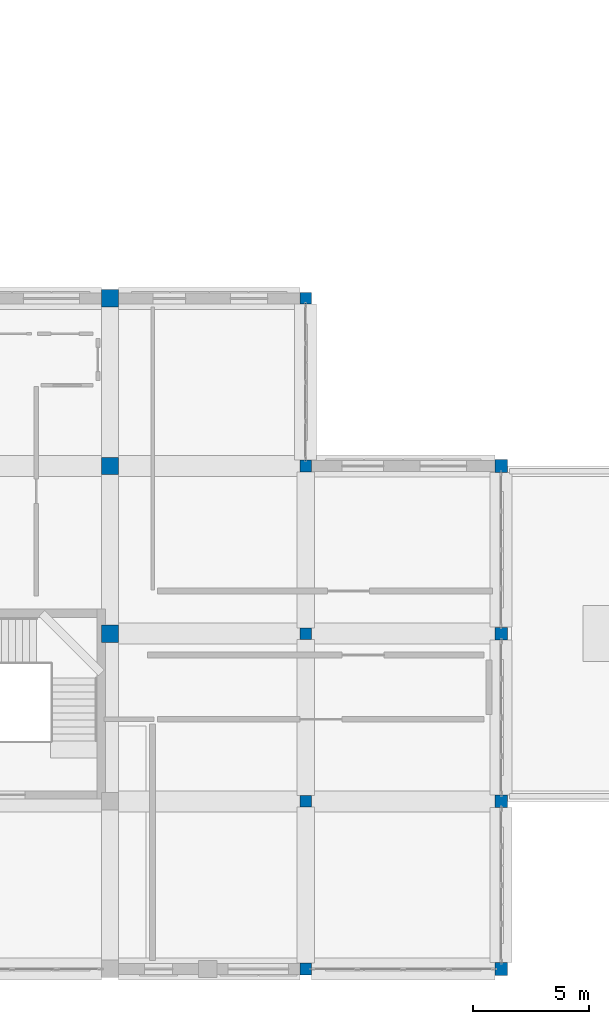
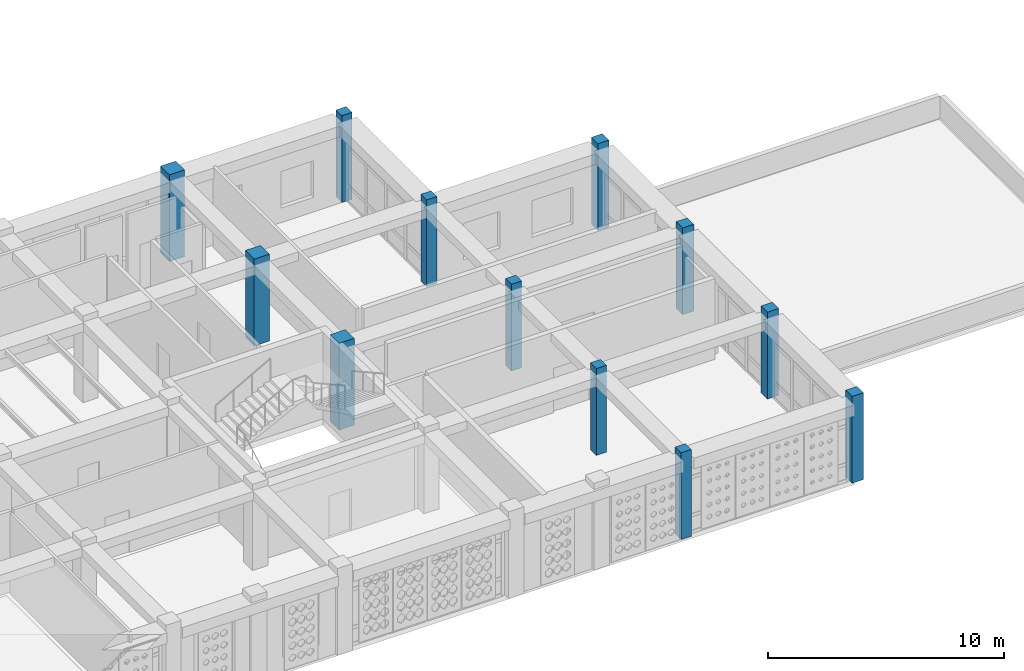
# One storey, part 2 of 111: 12 columns.
"""IFC4 building model written with IfcOpenShell, lengths in metres."""

import ifcopenshell
import ifcopenshell.guid

model = None  # the IFC model being written
_history = None  # IfcOwnerHistory: only IFC2X3 demands one
_inside = {}  # id of a spatial element -> (the spatial element, [elements in it])
_under = {}  # id of a project, library or spatial element -> (it, [spatial elements below it])
_declared = {}  # id of a project -> (the project, [libraries it declares])
_typed = {}  # id of a type object -> (the type object, [elements of that type])
_made_of = {}  # id of a material, layer set ... -> (it, [elements and type objects made of it])


def new_model(schema):
    """Start an empty IFC model of exactly this schema.

    Asked for "IFC4X3", IfcOpenShell would pick the latest addendum, in which some entities
    have other attributes; the version numbers below select the first issue.
    IFC2X3 requires an IfcOwnerHistory on every rooted entity: one is made here for all.
    """
    global model, _history
    if schema == "IFC4X3":
        model = ifcopenshell.file(schema_version=(4, 3, 0, 0))
    else:
        model = ifcopenshell.file(schema=schema)
    _inside.clear()
    _under.clear()
    _declared.clear()
    _typed.clear()
    _made_of.clear()
    _history = None
    if model.schema == "IFC2X3":
        org = make("IfcOrganization", Name="unknown")
        user = make(
            "IfcPersonAndOrganization",
            ThePerson=make("IfcPerson", FamilyName="unknown"),
            TheOrganization=org,
        )
        app = make(
            "IfcApplication",
            ApplicationDeveloper=org,
            Version="unknown",
            ApplicationFullName="unknown",
            ApplicationIdentifier="unknown",
        )
        _history = make(
            "IfcOwnerHistory",
            OwningUser=user,
            OwningApplication=app,
            ChangeAction="ADDED",
            CreationDate=0,
        )
    return model


def make(cls, **values):
    """One entity of the class cls with the attributes given. An attribute that is None is left unset."""
    return model.create_entity(
        cls, **{name: value for name, value in values.items() if value is not None}
    )


def rooted(cls, **values):
    """An entity with a GlobalId (a new one), such as an element, a storey or a relation."""
    return make(cls, GlobalId=ifcopenshell.guid.new(), OwnerHistory=_history, **values)


def si_unit(unit_type, name, prefix=None):
    """IfcSIUnit, for example si_unit("LENGTHUNIT", "METRE", prefix="MILLI")."""
    return make("IfcSIUnit", UnitType=unit_type, Prefix=prefix, Name=name)


def derived_unit(unit_type, elements):
    """IfcDerivedUnit: a product of units, each with its exponent."""
    return make(
        "IfcDerivedUnit",
        Elements=[
            make("IfcDerivedUnitElement", Unit=unit, Exponent=power)
            for unit, power in elements
        ],
        UnitType=unit_type,
    )


def assignment(units):
    """IfcUnitAssignment: the units of a project."""
    return None if units is None else make("IfcUnitAssignment", Units=units)


def point(xyz):
    """IfcCartesianPoint."""
    return None if xyz is None else make("IfcCartesianPoint", Coordinates=xyz)


def direction(xyz):
    """IfcDirection."""
    return None if xyz is None else make("IfcDirection", DirectionRatios=xyz)


def frame(location, z_axis=None, x_axis=None):
    """IfcAxis2Placement3D, a coordinate frame: its origin and axes. An axis left out is left unset."""
    return make(
        "IfcAxis2Placement3D",
        Location=point(location),
        Axis=direction(z_axis),
        RefDirection=direction(x_axis),
    )


def frame_2d(location, x_axis=None):
    """IfcAxis2Placement2D, a coordinate frame in the plane: its origin and x axis."""
    return make(
        "IfcAxis2Placement2D", Location=point(location), RefDirection=direction(x_axis)
    )


def origin():
    """The frame at (0, 0, 0) with its axes left unset."""
    return frame((0.0, 0.0, 0.0))


def origin_2d():
    """The frame at (0, 0) in the plane with its x axis left unset."""
    return frame_2d((0.0, 0.0))


def place(relative_to, where):
    """IfcLocalPlacement: puts the frame where relative to a parent placement (None: the world)."""
    return make(
        "IfcLocalPlacement", PlacementRelTo=relative_to, RelativePlacement=where
    )


def context(
    kind, dimensions, precision=None, world=None, true_north=None, identifier=None
):
    """IfcGeometricRepresentationContext, for example the 3D "Model" context."""
    return make(
        "IfcGeometricRepresentationContext",
        ContextIdentifier=identifier,
        ContextType=kind,
        CoordinateSpaceDimension=dimensions,
        Precision=precision,
        WorldCoordinateSystem=world,
        TrueNorth=true_north,
    )


def subcontext(parent, identifier, kind, view, scale=None):
    """IfcGeometricRepresentationSubContext, for example "Body" below "Model"."""
    return make(
        "IfcGeometricRepresentationSubContext",
        ContextIdentifier=identifier,
        ContextType=kind,
        ParentContext=parent,
        TargetScale=scale,
        TargetView=view,
    )


def project(units=None, contexts=None):
    """IfcProject with its units and contexts."""
    return rooted(
        "IfcProject",
        Name="project",
        RepresentationContexts=contexts,
        UnitsInContext=assignment(units),
    )


def spatial(cls, under=None, at=None, **own):
    """A site, building, storey or space (cls), placed at a placement, below another one or the project."""
    s = rooted(cls, ObjectPlacement=at, **own)
    if under is not None:
        _under.setdefault(under.id(), (under, []))[1].append(s)
    return s


def profile(cls, at=None, kind="AREA", **sizes):
    """A parametric profile (cls). Its sizes go by their IFC names, for example OverallWidth=200.0."""
    return make(cls, ProfileType=kind, Position=at, **sizes)


def rectangle(**sizes):
    """IfcRectangleProfileDef."""
    return profile("IfcRectangleProfileDef", **sizes)


def extrude(swept, where, along, depth):
    """IfcExtrudedAreaSolid: the profile swept, set in the frame where, extruded along a direction by depth."""
    return make(
        "IfcExtrudedAreaSolid",
        SweptArea=swept,
        Position=where,
        ExtrudedDirection=direction(along),
        Depth=depth,
    )


def shape(context_of_items, identifier, shape_type, items):
    """IfcShapeRepresentation: the items that make up one representation, for example the "Body"."""
    return make(
        "IfcShapeRepresentation",
        ContextOfItems=context_of_items,
        RepresentationIdentifier=identifier,
        RepresentationType=shape_type,
        Items=items,
    )


def material(Name=None, Category=None):
    """IfcMaterial."""
    return make("IfcMaterial", Name=Name, Category=Category)


def material_profile(
    of_material, cross_section, Name=None, Category=None, Priority=None
):
    """IfcMaterialProfile: a cross section and its material."""
    return make(
        "IfcMaterialProfile",
        Name=Name,
        Material=of_material,
        Profile=cross_section,
        Priority=Priority,
        Category=Category,
    )


def profile_set(profiles, Name=None, composite=None):
    """IfcMaterialProfileSet."""
    return make(
        "IfcMaterialProfileSet",
        Name=Name,
        MaterialProfiles=profiles,
        CompositeProfile=composite,
    )


def made_of(thing, what):
    """Note that an element or type object is made of a material, layer set ...; save() writes the relation."""
    if what is not None:
        _made_of.setdefault(what.id(), (what, []))[1].append(thing)
    return thing


def type_object(cls, material=None, **own):
    """A type object (cls), such as IfcWallType, which elements share."""
    return made_of(rooted(cls, **own), material)


def element(
    cls,
    number,
    at=None,
    inside=None,
    cuts=None,
    type_object=None,
    material=None,
    context=None,
    identifier="Body",
    shape_type=None,
    held_by="IfcProductDefinitionShape",
    body=None,
    shapes=None,
    **own,
):
    """One element of the class cls, such as IfcWall. Its Tag is "e" and its number.

    at: its placement. inside: the storey or other place that contains it. cuts: it is an
    opening in that element (IfcRelVoidsElement). A single representation is given by context,
    identifier, shape_type and body (its items); several are given by shapes. held_by: the class
    of the entity that holds the representations. save() writes the other relations.
    """
    e = rooted(cls, Tag="e%d" % number, ObjectPlacement=at, **own)
    if body is not None:
        shapes = [shape(context, identifier, shape_type, body)]
    if shapes is not None:
        e.Representation = make(held_by, Representations=shapes)
    if inside is not None:
        _inside.setdefault(inside.id(), (inside, []))[1].append(e)
    if cuts is not None:
        rooted(
            "IfcRelVoidsElement", RelatingBuildingElement=cuts, RelatedOpeningElement=e
        )
    if type_object is not None:
        _typed.setdefault(type_object.id(), (type_object, []))[1].append(e)
    return made_of(e, material)


def aggregate(whole, parts):
    """IfcRelAggregates: a whole, such as a stair, and the parts it consists of."""
    return rooted("IfcRelAggregates", RelatingObject=whole, RelatedObjects=parts)


def save(model, path):
    """Write the relations noted so far, then the file.

    IfcRelAggregates (storeys below a building ...), IfcRelContainedInSpatialStructure (elements
    in a storey), IfcRelDefinesByType, IfcRelAssociatesMaterial and IfcRelDeclares: one each for
    every whole, place, type object, material and project.
    """
    for whole, parts in _under.values():
        aggregate(whole, parts)
    for where, things in _inside.values():
        rooted(
            "IfcRelContainedInSpatialStructure",
            RelatedElements=things,
            RelatingStructure=where,
        )
    for kind, things in _typed.values():
        rooted("IfcRelDefinesByType", RelatedObjects=things, RelatingType=kind)
    for what, things in _made_of.values():
        rooted("IfcRelAssociatesMaterial", RelatedObjects=things, RelatingMaterial=what)
    for by, libraries in _declared.values():
        rooted("IfcRelDeclares", RelatingContext=by, RelatedDefinitions=libraries)
    model.write(path)


model = new_model("IFC4")

# Units and contexts
model_context = context("Model", 3, precision=1e-05, world=origin(), true_north=direction((0.0, 1.0)))
body_context = subcontext(model_context, "Body", "Model", "MODEL_VIEW")
ifc_project = project(units=[si_unit("LENGTHUNIT", "METRE"), si_unit("AREAUNIT", "SQUARE_METRE"), si_unit("VOLUMEUNIT", "CUBIC_METRE"), si_unit("PLANEANGLEUNIT", "RADIAN"), si_unit("MASSUNIT", "GRAM", prefix="KILO"), derived_unit("THERMALTRANSMITTANCEUNIT", [(si_unit("POWERUNIT", "WATT"), 1), (si_unit("LENGTHUNIT", "METRE"), -2), (si_unit("THERMODYNAMICTEMPERATUREUNIT", "KELVIN"), -1)])], contexts=[model_context])

# Site, building, storey
site_placement = place(None, origin())
site = spatial("IfcSite", under=ifc_project, at=site_placement, CompositionType="ELEMENT")
building_placement = place(site_placement, origin())
building = spatial("IfcBuilding", under=site, at=building_placement, Name="Veybourne Emporium", CompositionType="ELEMENT")
storey_placement = place(building_placement, frame((0.0, 0.0, 9.89990234375)))
storey = spatial("IfcBuildingStorey", under=building, at=storey_placement, Name="L02", CompositionType="ELEMENT", Elevation=9.89990234375)

# Columns
ifc_material = material(Name="Concrete C40/50", Category="concrete")
ifc_material_profile_1 = material_profile(ifc_material, rectangle(XDim=0.75, YDim=0.75, at=origin_2d()), Name="RC 750x750")
ifc_profile_set_1 = profile_set([ifc_material_profile_1], Name="Concrete C40/50")
column_type_1 = type_object("IfcColumnType", Name="Col_C-03", PredefinedType="COLUMN", material=ifc_profile_set_1)
for number, where, z_axis, x_axis, name in (
    (1, (134.39990234375, 14.39990234375, 0.0), (0.0, 0.0, 1.0), (1.0, 0.0, 0.0), "Column C-03 L02 (16,2)"),
    (2, (134.39990234375, 21.60009765625, 0.0), (0.0, 0.0, 1.0), (1.0, 0.0, 0.0), "Column C-03 L02 (16,3)"),
    (3, (134.39990234375, 28.800048828125, 0.0), (0.0, 0.0, 1.0), (1.0, 0.0, 0.0), "Column C-03 L02 (16,4)"),
):
    element("IfcColumn", number, at=place(storey_placement, frame(where, z_axis=z_axis, x_axis=x_axis)), inside=storey, type_object=column_type_1, Name=name, PredefinedType="COLUMN", context=body_context, shape_type="SweptSolid", body=[
        extrude(rectangle(XDim=0.75, YDim=0.75, at=origin_2d()), origin(), (0.0, 0.0, 1.0), 4.5),
    ])
ifc_material_profile_2 = material_profile(ifc_material, rectangle(XDim=0.550048828125, YDim=0.550048828125, at=origin_2d()), Name="RC 550x550")
ifc_profile_set_2 = profile_set([ifc_material_profile_2], Name="Concrete C40/50")
column_type_2 = type_object("IfcColumnType", Name="Col_C-07", PredefinedType="COLUMN", material=ifc_profile_set_2)
for number, where, z_axis, x_axis, name in (
    (4, (151.199951171875, 7.199951171875, 0.0), (0.0, 0.0, 1.0), (1.0, 0.0, 0.0), "Column C-07 L02 (18,1)"),
    (5, (151.199951171875, 14.39990234375, 0.0), (0.0, 0.0, 1.0), (1.0, 0.0, 0.0), "Column C-07 L02 (18,2)"),
    (6, (151.199951171875, 21.60009765625, 0.0), (0.0, 0.0, 1.0), (1.0, 0.0, 0.0), "Column C-07 L02 (18,3)"),
):
    element("IfcColumn", number, at=place(storey_placement, frame(where, z_axis=z_axis, x_axis=x_axis)), inside=storey, type_object=column_type_2, Name=name, PredefinedType="COLUMN", context=body_context, shape_type="SweptSolid", body=[
        extrude(rectangle(XDim=0.550048828125, YDim=0.550048828125, at=origin_2d()), origin(), (0.0, 0.0, 1.0), 4.5),
    ])
ifc_material_profile_3 = material_profile(ifc_material, rectangle(XDim=0.5, YDim=0.5, at=origin_2d()), Name="RC 500x500")
ifc_profile_set_3 = profile_set([ifc_material_profile_3], Name="Concrete C40/50")
column_type_3 = type_object("IfcColumnType", Name="Col_C-08", PredefinedType="COLUMN", material=ifc_profile_set_3)
for number, where, z_axis, x_axis, name in (
    (7, (142.800048828125, 7.199951171875, 0.0), (0.0, 0.0, 1.0), (1.0, 0.0, 0.0), "Column C-08 L02 (17,1)"),
    (8, (142.800048828125, 14.39990234375, 0.0), (0.0, 0.0, 1.0), (1.0, 0.0, 0.0), "Column C-08 L02 (17,2)"),
    (9, (142.800048828125, 21.60009765625, 0.0), (0.0, 0.0, 1.0), (1.0, 0.0, 0.0), "Column C-08 L02 (17,3)"),
    (10, (142.800048828125, 28.800048828125, 0.0), (0.0, 0.0, 1.0), (1.0, 0.0, 0.0), "Column C-08 L02 (17,4)"),
):
    element("IfcColumn", number, at=place(storey_placement, frame(where, z_axis=z_axis, x_axis=x_axis)), inside=storey, type_object=column_type_3, Name=name, PredefinedType="COLUMN", context=body_context, shape_type="SweptSolid", body=[
        extrude(rectangle(XDim=0.5, YDim=0.5, at=origin_2d()), origin(), (0.0, 0.0, 1.0), 4.5),
    ])
ifc_material_profile_4 = material_profile(ifc_material, rectangle(XDim=0.550048828125, YDim=0.550048828125, at=origin_2d()), Name="RC 550x550")
ifc_profile_set_4 = profile_set([ifc_material_profile_4], Name="Concrete C40/50")
column_type_4 = type_object("IfcColumnType", Name="Col_CE-07", PredefinedType="COLUMN", material=ifc_profile_set_4)
column_1_placement = place(storey_placement, frame((151.199951171875, 0.0, 0.0), z_axis=(0.0, 0.0, 1.0), x_axis=(1.0, 0.0, 0.0)))
element("IfcColumn", 11, at=column_1_placement, inside=storey, type_object=column_type_4, Name="Column CE-07 L02 (18,0)", PredefinedType="COLUMN", context=body_context, shape_type="SweptSolid", body=[
    extrude(rectangle(XDim=0.550048828125, YDim=0.550048828125, at=origin_2d()), origin(), (0.0, 0.0, 1.0), 4.5),
])
ifc_material_profile_5 = material_profile(ifc_material, rectangle(XDim=0.5, YDim=0.5, at=origin_2d()), Name="RC 500x500")
ifc_profile_set_5 = profile_set([ifc_material_profile_5], Name="Concrete C40/50")
column_type_5 = type_object("IfcColumnType", Name="Col_CE-08", PredefinedType="COLUMN", material=ifc_profile_set_5)
column_2_placement = place(storey_placement, frame((142.800048828125, 0.0, 0.0), z_axis=(0.0, 0.0, 1.0), x_axis=(1.0, 0.0, 0.0)))
element("IfcColumn", 12, at=column_2_placement, inside=storey, type_object=column_type_5, Name="Column CE-08 L02 (17,0)", PredefinedType="COLUMN", context=body_context, shape_type="SweptSolid", body=[
    extrude(rectangle(XDim=0.5, YDim=0.5, at=origin_2d()), origin(), (0.0, 0.0, 1.0), 4.5),
])

save(model, "model.ifc")
